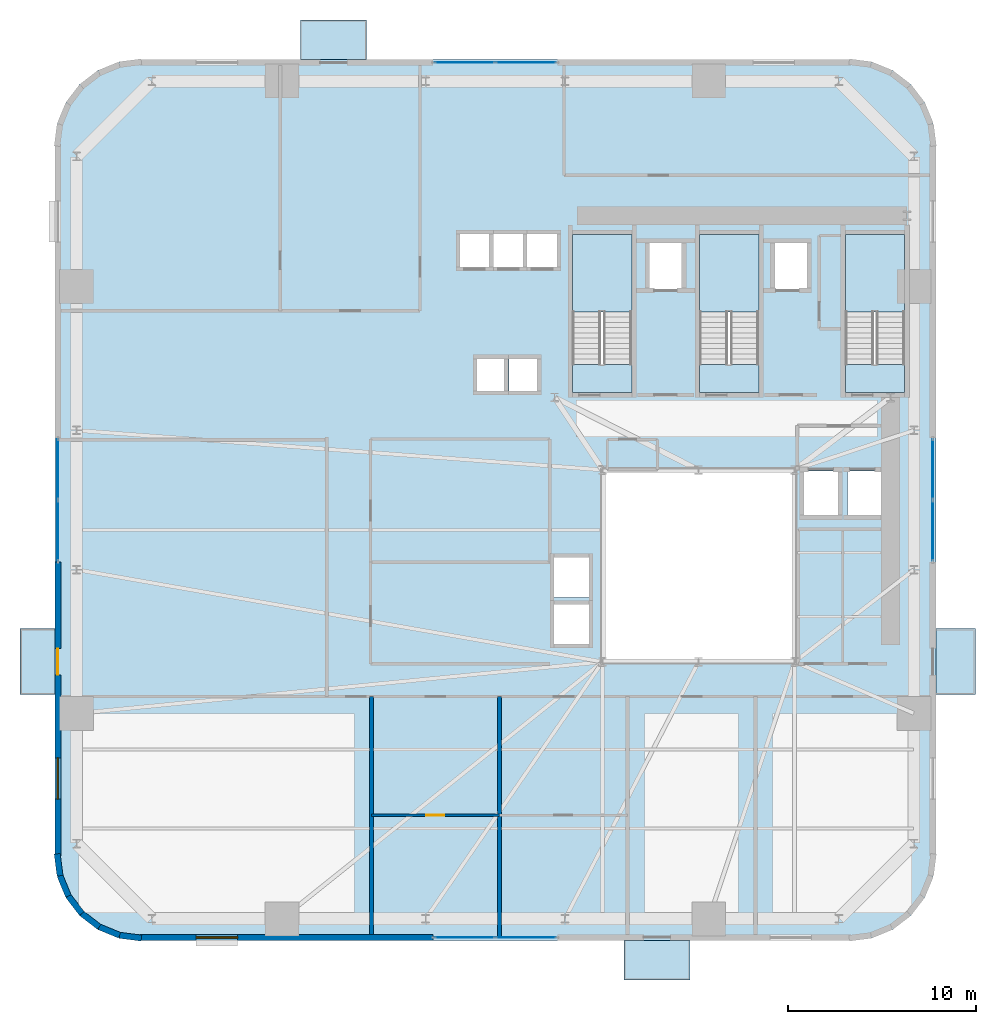
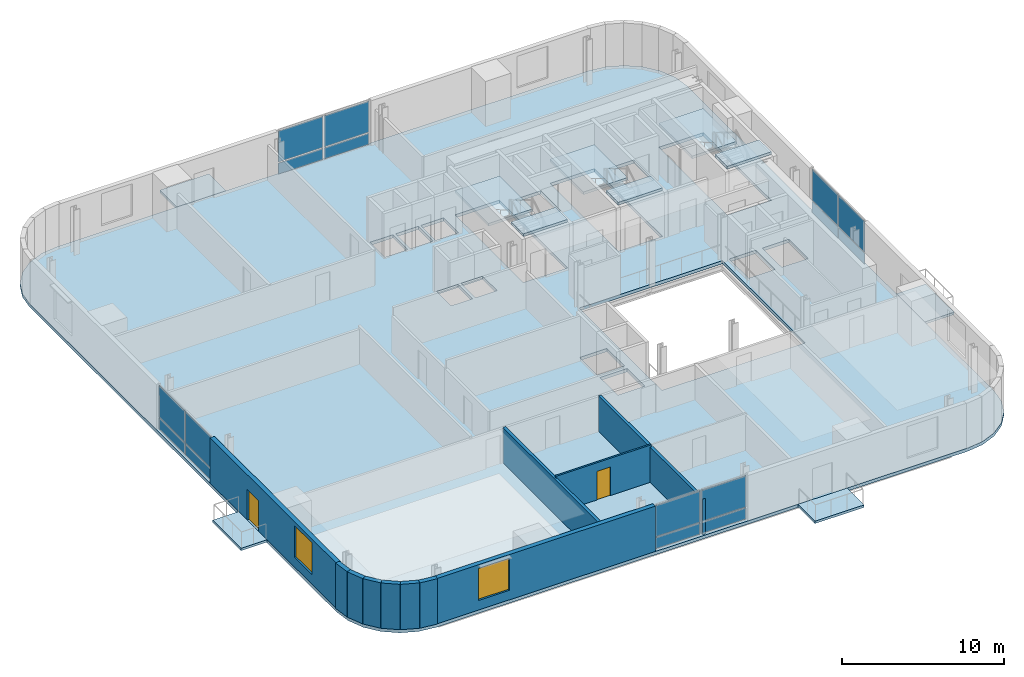
# One storey, part 5 of 13: 16 plates, 11 slabs, 11 walls, 2 doors, 2 windows, 4 openings, 7 elements without a shape of their own.
"""IFC4 building model written with IfcOpenShell, lengths in metres."""

from ifc_helpers import new_model, si_unit, direction, frame, frame_2d, origin, origin_2d, place, context, subcontext, project, spatial, polyline, rectangle, outline, extrude, source, transform, mapped, material, layer, layer_set, type_object, element, fill, aggregate, save


model = new_model("IFC4")

# Units and contexts
model_context = context("Model", 3, precision=1e-05, world=origin(), true_north=direction((0.0, 1.0)))
body_context = subcontext(model_context, "Body", "Model", "MODEL_VIEW")
ifc_project = project(units=[si_unit("LENGTHUNIT", "METRE"), si_unit("AREAUNIT", "SQUARE_METRE"), si_unit("VOLUMEUNIT", "CUBIC_METRE"), si_unit("PLANEANGLEUNIT", "RADIAN"), si_unit("MASSUNIT", "GRAM", prefix="KILO")], contexts=[model_context])

# Site, building, storey
site_placement = place(None, origin())
site = spatial("IfcSite", under=ifc_project, at=site_placement, CompositionType="ELEMENT")
building_placement = place(site_placement, origin())
building = spatial("IfcBuilding", under=site, at=building_placement, Name="Vardaveli Station Tower", CompositionType="ELEMENT")
storey_placement = place(building_placement, frame((0.0, 0.0, 75.050048828125)))
storey = spatial("IfcBuildingStorey", under=building, at=storey_placement, Name="L19", CompositionType="ELEMENT", Elevation=75.050048828125)

# Stair, slabs
ifc_material_1 = material(Name="Concrete C40/50", Category="concrete")
stair_type = type_object("IfcStairType", Name="STR-CORE-1500", PredefinedType="HALF_TURN_STAIR", material=ifc_material_1)
stair_1_placement = place(storey_placement, origin())
stair_1 = element("IfcStair", 1, at=stair_1_placement, inside=storey, type_object=stair_type, Name="L19 ST-1", PredefinedType="HALF_TURN_STAIR")
ifc_layer_1 = layer(ifc_material_1, 0.199951171875, Name="Concrete C40/50")
ifc_layer_set_1 = layer_set([ifc_layer_1], Name="Concrete C40/50")
slab_type_1 = type_object("IfcSlabType", Name="SLB-LAND-200", PredefinedType="LANDING", material=ifc_layer_set_1)
slab_1_placement = place(storey_placement, frame((0.0, 0.0, 1.625)))
slab_1 = element("IfcSlab", 2, at=slab_1_placement, type_object=slab_type_1, Name="ST-1 landing 1", PredefinedType="LANDING", context=body_context, shape_type="SweptSolid", body=[
    extrude(outline(polyline([(32.75, 35.199951171875), (32.75, 39.300048828125), (29.60009765625, 39.300048828125), (29.60009765625, 35.199951171875), (32.75, 35.199951171875)])), origin(), (0.0, 0.0, 1.0), 0.199951171875),
])
slab_2_placement = place(storey_placement, frame((0.0, 0.0, 3.449951171875)))
slab_2 = element("IfcSlab", 3, at=slab_2_placement, type_object=slab_type_1, Name="ST-1 landing 2", PredefinedType="LANDING", context=body_context, shape_type="SweptSolid", body=[
    extrude(outline(polyline([(32.75, 30.89990234375), (32.75, 32.39990234375), (29.60009765625, 32.39990234375), (29.60009765625, 30.89990234375), (32.75, 30.89990234375)])), origin(), (0.0, 0.0, 1.0), 0.199951171875),
])
aggregate(stair_1, [slab_1, slab_2])

stair_2_placement = place(storey_placement, origin())
stair_2 = element("IfcStair", 4, at=stair_2_placement, inside=storey, type_object=stair_type, Name="L19 ST-2", PredefinedType="HALF_TURN_STAIR")
slab_3_placement = place(storey_placement, frame((0.0, 0.0, 1.625)))
slab_3 = element("IfcSlab", 5, at=slab_3_placement, type_object=slab_type_1, Name="ST-2 landing 1", PredefinedType="LANDING", context=body_context, shape_type="SweptSolid", body=[
    extrude(outline(polyline([(39.5, 35.199951171875), (39.5, 39.300048828125), (36.35009765625, 39.300048828125), (36.35009765625, 35.199951171875), (39.5, 35.199951171875)])), origin(), (0.0, 0.0, 1.0), 0.199951171875),
])
slab_4_placement = place(storey_placement, frame((0.0, 0.0, 3.449951171875)))
slab_4 = element("IfcSlab", 6, at=slab_4_placement, type_object=slab_type_1, Name="ST-2 landing 2", PredefinedType="LANDING", context=body_context, shape_type="SweptSolid", body=[
    extrude(outline(polyline([(39.5, 30.89990234375), (39.5, 32.39990234375), (36.35009765625, 32.39990234375), (36.35009765625, 30.89990234375), (39.5, 30.89990234375)])), origin(), (0.0, 0.0, 1.0), 0.199951171875),
])
aggregate(stair_2, [slab_3, slab_4])

stair_3_placement = place(storey_placement, origin())
stair_3 = element("IfcStair", 7, at=stair_3_placement, inside=storey, type_object=stair_type, Name="L19 ST-3", PredefinedType="HALF_TURN_STAIR")
slab_5_placement = place(storey_placement, frame((0.0, 0.0, 1.625)))
slab_5 = element("IfcSlab", 8, at=slab_5_placement, type_object=slab_type_1, Name="ST-3 landing 1", PredefinedType="LANDING", context=body_context, shape_type="SweptSolid", body=[
    extrude(outline(polyline([(47.25, 35.199951171875), (47.25, 39.300048828125), (44.10009765625, 39.300048828125), (44.10009765625, 35.199951171875), (47.25, 35.199951171875)])), origin(), (0.0, 0.0, 1.0), 0.199951171875),
])
slab_6_placement = place(storey_placement, frame((0.0, 0.0, 3.449951171875)))
slab_6 = element("IfcSlab", 9, at=slab_6_placement, type_object=slab_type_1, Name="ST-3 landing 2", PredefinedType="LANDING", context=body_context, shape_type="SweptSolid", body=[
    extrude(outline(polyline([(47.25, 30.89990234375), (47.25, 32.39990234375), (44.10009765625, 32.39990234375), (44.10009765625, 30.89990234375), (47.25, 30.89990234375)])), origin(), (0.0, 0.0, 1.0), 0.199951171875),
])
aggregate(stair_3, [slab_5, slab_6])

# Slabs
ifc_material_2 = material(Name="Precast concrete C45/55", Category="concrete")
ifc_layer_2 = layer(ifc_material_2, 0.179931640625, Name="Precast concrete C45/55")
ifc_layer_set_2 = layer_set([ifc_layer_2], Name="Precast concrete C45/55")
slab_type_2 = type_object("IfcSlabType", Name="SLB-LOGGIA-180", PredefinedType="FLOOR", material=ifc_layer_set_2)
slab_7_placement = place(storey_placement, frame((0.0, 0.0, -0.179931640625)))
element("IfcSlab", 10, at=slab_7_placement, inside=storey, type_object=slab_type_2, Name="LOG-L19-S", PredefinedType="FLOOR", context=body_context, shape_type="SweptSolid", body=[
    extrude(outline(polyline([(32.339599609375, -0.300048828125), (35.839599609375, -0.300048828125), (35.839599609375, 1.800048828125), (32.339599609375, 1.800048828125), (32.339599609375, -0.300048828125)])), origin(), (0.0, 0.0, 1.0), 0.179931640625),
])
slab_8_placement = place(storey_placement, frame((0.0, 0.0, -0.179931640625)))
element("IfcSlab", 11, at=slab_8_placement, inside=storey, type_object=slab_type_2, Name="LOG-L19-N", PredefinedType="FLOOR", context=body_context, shape_type="SweptSolid", body=[
    extrude(outline(polyline([(15.160400390625, 48.60009765625), (18.660400390625, 48.60009765625), (18.660400390625, 50.699951171875), (15.160400390625, 50.699951171875), (15.160400390625, 48.60009765625)])), origin(), (0.0, 0.0, 1.0), 0.179931640625),
])
slab_9_placement = place(storey_placement, frame((0.0, 0.0, -0.179931640625)))
element("IfcSlab", 12, at=slab_9_placement, inside=storey, type_object=slab_type_2, Name="LOG-L19-W", PredefinedType="FLOOR", context=body_context, shape_type="SweptSolid", body=[
    extrude(outline(polyline([(0.25, 14.8603515625), (2.10009765625, 14.8603515625), (2.10009765625, 18.3603515625), (0.25, 18.3603515625), (0.25, 14.8603515625)])), origin(), (0.0, 0.0, 1.0), 0.179931640625),
])
slab_10_placement = place(storey_placement, frame((0.0, 0.0, -0.179931640625)))
element("IfcSlab", 13, at=slab_10_placement, inside=storey, type_object=slab_type_2, Name="LOG-L19-E", PredefinedType="FLOOR", context=body_context, shape_type="SweptSolid", body=[
    extrude(outline(polyline([(48.89990234375, 14.8603515625), (51.0, 14.8603515625), (51.0, 18.3603515625), (48.89990234375, 18.3603515625), (48.89990234375, 14.8603515625)])), origin(), (0.0, 0.0, 1.0), 0.179931640625),
])
ifc_layer_3 = layer(ifc_material_1, 0.239990234375, Name="Concrete C40/50")
ifc_layer_set_3 = layer_set([ifc_layer_3], Name="Concrete C40/50")
slab_type_3 = type_object("IfcSlabType", Name="SLB-TOW-240", PredefinedType="FLOOR", material=ifc_layer_set_3)
slab_11_placement = place(storey_placement, frame((0.0, 0.0, -0.239990234375)))
element("IfcSlab", 14, at=slab_11_placement, inside=storey, type_object=slab_type_3, Name="SLB-L19-MAIN", PredefinedType="FLOOR", context=body_context, shape_type="SweptSolid", body=[
    extrude(outline(polyline([(2.10009765625, 6.300048828125), (2.25341796875, 5.13525390625), (2.702880859375, 4.050048828125), (3.41796875, 3.117919921875), (4.35009765625, 2.40283203125), (5.435302734375, 1.953369140625), (6.60009765625, 1.800048828125), (44.39990234375, 1.800048828125), (45.564697265625, 1.953369140625), (46.64990234375, 2.40283203125), (47.58203125, 3.117919921875), (48.297119140625, 4.050048828125), (48.74658203125, 5.13525390625), (48.89990234375, 6.300048828125), (48.89990234375, 44.10009765625), (48.74658203125, 45.2646484375), (48.297119140625, 46.35009765625), (47.58203125, 47.281982421875), (46.64990234375, 47.9970703125), (45.564697265625, 48.44677734375), (44.39990234375, 48.60009765625), (6.60009765625, 48.60009765625), (5.435302734375, 48.44677734375), (4.35009765625, 47.9970703125), (3.41796875, 47.281982421875), (2.702880859375, 46.35009765625), (2.25341796875, 45.2646484375), (2.10009765625, 44.10009765625), (2.10009765625, 6.300048828125)]), holes=[polyline([(31.199951171875, 16.60009765625), (41.39990234375, 16.60009765625), (41.39990234375, 26.800048828125), (31.199951171875, 26.800048828125), (31.199951171875, 16.60009765625)]), polyline([(32.75, 30.89990234375), (32.75, 39.300048828125), (29.60009765625, 39.300048828125), (29.60009765625, 30.89990234375), (32.75, 30.89990234375)]), polyline([(39.5, 30.89990234375), (39.5, 39.300048828125), (36.35009765625, 39.300048828125), (36.35009765625, 30.89990234375), (39.5, 30.89990234375)]), polyline([(47.25, 30.89990234375), (47.25, 39.300048828125), (44.10009765625, 39.300048828125), (44.10009765625, 30.89990234375), (47.25, 30.89990234375)]), polyline([(23.5849609375, 37.534912109375), (25.215087890625, 37.534912109375), (25.215087890625, 39.364990234375), (23.5849609375, 39.364990234375), (23.5849609375, 37.534912109375)]), polyline([(25.385009765625, 37.534912109375), (27.014892578125, 37.534912109375), (27.014892578125, 39.364990234375), (25.385009765625, 39.364990234375), (25.385009765625, 37.534912109375)]), polyline([(27.18505859375, 37.534912109375), (28.81494140625, 37.534912109375), (28.81494140625, 39.364990234375), (27.18505859375, 39.364990234375), (27.18505859375, 37.534912109375)]), polyline([(33.659912109375, 36.409912109375), (35.43994140625, 36.409912109375), (35.43994140625, 38.889892578125), (33.659912109375, 38.889892578125), (33.659912109375, 36.409912109375)]), polyline([(40.31005859375, 36.409912109375), (42.090087890625, 36.409912109375), (42.090087890625, 38.889892578125), (40.31005859375, 38.889892578125), (40.31005859375, 36.409912109375)]), polyline([(24.485107421875, 30.9599609375), (26.014892578125, 30.9599609375), (26.014892578125, 32.739990234375), (24.485107421875, 32.739990234375), (24.485107421875, 30.9599609375)]), polyline([(26.235107421875, 30.9599609375), (27.764892578125, 30.9599609375), (27.764892578125, 32.739990234375), (26.235107421875, 32.739990234375), (26.235107421875, 30.9599609375)]), polyline([(28.5849609375, 17.510009765625), (30.514892578125, 17.510009765625), (30.514892578125, 19.68994140625), (28.5849609375, 19.68994140625), (28.5849609375, 17.510009765625)]), polyline([(28.5849609375, 20.010009765625), (30.514892578125, 20.010009765625), (30.514892578125, 22.18994140625), (28.5849609375, 22.18994140625), (28.5849609375, 20.010009765625)]), polyline([(41.860107421875, 24.360107421875), (43.739990234375, 24.360107421875), (43.739990234375, 26.739990234375), (41.860107421875, 26.739990234375), (41.860107421875, 24.360107421875)]), polyline([(44.2099609375, 24.360107421875), (46.090087890625, 24.360107421875), (46.090087890625, 26.739990234375), (44.2099609375, 26.739990234375), (44.2099609375, 24.360107421875)])]), origin(), (0.0, 0.0, 1.0), 0.239990234375),
])

# Curtain wall, plates
ifc_material_3 = material(Name="Travertine stone and solar-control glass", Category="masonry")
curtain_wall_type = type_object("IfcCurtainWallType", Name="CW-SYS-2", PredefinedType="NOTDEFINED", material=ifc_material_3)
curtain_wall_1_placement = place(storey_placement, origin())
curtain_wall_1 = element("IfcCurtainWall", 15, at=curtain_wall_1_placement, inside=storey, type_object=curtain_wall_type, Name="CW-L19-S", PredefinedType="NOTDEFINED")
ifc_material_4 = material(Name="Double-glazed low-E solar-control glass", Category="glass")
ifc_layer_4 = layer(ifc_material_4, 0.035888671875, Name="Double-glazed low-E solar-control glass")
ifc_layer_set_4 = layer_set([ifc_layer_4], Name="Double-glazed low-E solar-control glass")
plate_type = type_object("IfcPlateType", Name="CW-SYS-2-PAN", PredefinedType="CURTAIN_PANEL", material=ifc_layer_set_4)
shared_shape_1 = source(origin(), body_context, "Body", "SweptSolid", [
    extrude(rectangle(XDim=3.172607421875, YDim=0.035888671875, at=origin_2d()), origin(), (0.0, 0.0, 1.0), 0.822509765625),
])
plate_1_placement = place(storey_placement, frame((23.871337890625, 1.9599609375, 0.0849609375), z_axis=(0.0, 0.0, 1.0), x_axis=(1.0, 0.0, 0.0)))
plate_1 = element("IfcPlate", 16, at=plate_1_placement, type_object=plate_type, Name="CW-2 panel 1.1", PredefinedType="CURTAIN_PANEL", context=body_context, shape_type="MappedRepresentation", body=[
    mapped(shared_shape_1, transform((0.0, 0.0, 0.0), scale=1.0)),
])
plate_2_placement = place(storey_placement, frame((27.128662109375, 1.9599609375, 0.0849609375), z_axis=(0.0, 0.0, 1.0), x_axis=(1.0, 0.0, 0.0)))
plate_2 = element("IfcPlate", 17, at=plate_2_placement, type_object=plate_type, Name="CW-2 panel 2.1", PredefinedType="CURTAIN_PANEL", context=body_context, shape_type="MappedRepresentation", body=[
    mapped(shared_shape_1, transform((0.0, 0.0, 0.0), scale=1.0)),
])

curtain_wall_2_placement = place(storey_placement, origin())
curtain_wall_2 = element("IfcCurtainWall", 18, at=curtain_wall_2_placement, inside=storey, type_object=curtain_wall_type, Name="CW-L19-N", PredefinedType="NOTDEFINED")
plate_3_placement = place(storey_placement, frame((27.128662109375, 48.43994140625, 0.0849609375), z_axis=(0.0, 0.0, 1.0), x_axis=(-1.0, 0.0, 0.0)))
plate_3 = element("IfcPlate", 19, at=plate_3_placement, type_object=plate_type, Name="CW-2 panel 1.1", PredefinedType="CURTAIN_PANEL", context=body_context, shape_type="MappedRepresentation", body=[
    mapped(shared_shape_1, transform((0.0, 0.0, 0.0), scale=1.0)),
])
plate_4_placement = place(storey_placement, frame((23.871337890625, 48.43994140625, 0.0849609375), z_axis=(0.0, 0.0, 1.0), x_axis=(-1.0, 0.0, 0.0)))
plate_4 = element("IfcPlate", 20, at=plate_4_placement, type_object=plate_type, Name="CW-2 panel 2.1", PredefinedType="CURTAIN_PANEL", context=body_context, shape_type="MappedRepresentation", body=[
    mapped(shared_shape_1, transform((0.0, 0.0, 0.0), scale=1.0)),
])

curtain_wall_3_placement = place(storey_placement, origin())
curtain_wall_3 = element("IfcCurtainWall", 21, at=curtain_wall_3_placement, inside=storey, type_object=curtain_wall_type, Name="CW-L19-W", PredefinedType="NOTDEFINED")
plate_5_placement = place(storey_placement, frame((2.260009765625, 26.828857421875, 0.0849609375), z_axis=(0.0, 0.0, 1.0), x_axis=(0.0, -1.0, 0.0)))
plate_5 = element("IfcPlate", 22, at=plate_5_placement, type_object=plate_type, Name="CW-2 panel 1.1", PredefinedType="CURTAIN_PANEL", context=body_context, shape_type="MappedRepresentation", body=[
    mapped(shared_shape_1, transform((0.0, 0.0, 0.0), scale=1.0)),
])
plate_6_placement = place(storey_placement, frame((2.260009765625, 23.5712890625, 0.0849609375), z_axis=(0.0, 0.0, 1.0), x_axis=(0.0, -1.0, 0.0)))
plate_6 = element("IfcPlate", 23, at=plate_6_placement, type_object=plate_type, Name="CW-2 panel 2.1", PredefinedType="CURTAIN_PANEL", context=body_context, shape_type="MappedRepresentation", body=[
    mapped(shared_shape_1, transform((0.0, 0.0, 0.0), scale=1.0)),
])

curtain_wall_4_placement = place(storey_placement, origin())
curtain_wall_4 = element("IfcCurtainWall", 24, at=curtain_wall_4_placement, inside=storey, type_object=curtain_wall_type, Name="CW-L19-E", PredefinedType="NOTDEFINED")
plate_7_placement = place(storey_placement, frame((48.739990234375, 23.5712890625, 0.0849609375), z_axis=(0.0, 0.0, 1.0), x_axis=(0.0, 1.0, 0.0)))
plate_7 = element("IfcPlate", 25, at=plate_7_placement, type_object=plate_type, Name="CW-2 panel 1.1", PredefinedType="CURTAIN_PANEL", context=body_context, shape_type="MappedRepresentation", body=[
    mapped(shared_shape_1, transform((0.0, 0.0, 0.0), scale=1.0)),
])
plate_8_placement = place(storey_placement, frame((48.739990234375, 26.828857421875, 0.0849609375), z_axis=(0.0, 0.0, 1.0), x_axis=(0.0, 1.0, 0.0)))
plate_8 = element("IfcPlate", 26, at=plate_8_placement, type_object=plate_type, Name="CW-2 panel 2.1", PredefinedType="CURTAIN_PANEL", context=body_context, shape_type="MappedRepresentation", body=[
    mapped(shared_shape_1, transform((0.0, 0.0, 0.0), scale=1.0)),
])

# Plate
shared_shape_2 = source(origin(), body_context, "Body", "SweptSolid", [
    extrude(rectangle(XDim=3.172607421875, YDim=0.035888671875, at=origin_2d()), origin(), (0.0, 0.0, 1.0), 2.33251953125),
])
plate_9_placement = place(storey_placement, frame((23.871337890625, 1.9599609375, 0.992431640625), z_axis=(0.0, 0.0, 1.0), x_axis=(1.0, 0.0, 0.0)))
plate_9 = element("IfcPlate", 27, at=plate_9_placement, type_object=plate_type, Name="CW-2 panel 1.2", PredefinedType="CURTAIN_PANEL", context=body_context, shape_type="MappedRepresentation", body=[
    mapped(shared_shape_2, transform((0.0, 0.0, 0.0), scale=1.0)),
])

plate_10_placement = place(storey_placement, frame((27.128662109375, 1.9599609375, 0.992431640625), z_axis=(0.0, 0.0, 1.0), x_axis=(1.0, 0.0, 0.0)))
plate_10 = element("IfcPlate", 28, at=plate_10_placement, type_object=plate_type, Name="CW-2 panel 2.2", PredefinedType="CURTAIN_PANEL", context=body_context, shape_type="MappedRepresentation", body=[
    mapped(shared_shape_2, transform((0.0, 0.0, 0.0), scale=1.0)),
])

aggregate(curtain_wall_1, [plate_1, plate_9, plate_2, plate_10])

plate_11_placement = place(storey_placement, frame((27.128662109375, 48.43994140625, 0.992431640625), z_axis=(0.0, 0.0, 1.0), x_axis=(-1.0, 0.0, 0.0)))
plate_11 = element("IfcPlate", 29, at=plate_11_placement, type_object=plate_type, Name="CW-2 panel 1.2", PredefinedType="CURTAIN_PANEL", context=body_context, shape_type="MappedRepresentation", body=[
    mapped(shared_shape_2, transform((0.0, 0.0, 0.0), scale=1.0)),
])

plate_12_placement = place(storey_placement, frame((23.871337890625, 48.43994140625, 0.992431640625), z_axis=(0.0, 0.0, 1.0), x_axis=(-1.0, 0.0, 0.0)))
plate_12 = element("IfcPlate", 30, at=plate_12_placement, type_object=plate_type, Name="CW-2 panel 2.2", PredefinedType="CURTAIN_PANEL", context=body_context, shape_type="MappedRepresentation", body=[
    mapped(shared_shape_2, transform((0.0, 0.0, 0.0), scale=1.0)),
])

aggregate(curtain_wall_2, [plate_3, plate_11, plate_4, plate_12])

plate_13_placement = place(storey_placement, frame((2.260009765625, 26.828857421875, 0.992431640625), z_axis=(0.0, 0.0, 1.0), x_axis=(0.0, -1.0, 0.0)))
plate_13 = element("IfcPlate", 31, at=plate_13_placement, type_object=plate_type, Name="CW-2 panel 1.2", PredefinedType="CURTAIN_PANEL", context=body_context, shape_type="MappedRepresentation", body=[
    mapped(shared_shape_2, transform((0.0, 0.0, 0.0), scale=1.0)),
])

plate_14_placement = place(storey_placement, frame((2.260009765625, 23.5712890625, 0.992431640625), z_axis=(0.0, 0.0, 1.0), x_axis=(0.0, -1.0, 0.0)))
plate_14 = element("IfcPlate", 32, at=plate_14_placement, type_object=plate_type, Name="CW-2 panel 2.2", PredefinedType="CURTAIN_PANEL", context=body_context, shape_type="MappedRepresentation", body=[
    mapped(shared_shape_2, transform((0.0, 0.0, 0.0), scale=1.0)),
])

aggregate(curtain_wall_3, [plate_5, plate_13, plate_6, plate_14])

plate_15_placement = place(storey_placement, frame((48.739990234375, 23.5712890625, 0.992431640625), z_axis=(0.0, 0.0, 1.0), x_axis=(0.0, 1.0, 0.0)))
plate_15 = element("IfcPlate", 33, at=plate_15_placement, type_object=plate_type, Name="CW-2 panel 1.2", PredefinedType="CURTAIN_PANEL", context=body_context, shape_type="MappedRepresentation", body=[
    mapped(shared_shape_2, transform((0.0, 0.0, 0.0), scale=1.0)),
])

plate_16_placement = place(storey_placement, frame((48.739990234375, 26.828857421875, 0.992431640625), z_axis=(0.0, 0.0, 1.0), x_axis=(0.0, 1.0, 0.0)))
plate_16 = element("IfcPlate", 34, at=plate_16_placement, type_object=plate_type, Name="CW-2 panel 2.2", PredefinedType="CURTAIN_PANEL", context=body_context, shape_type="MappedRepresentation", body=[
    mapped(shared_shape_2, transform((0.0, 0.0, 0.0), scale=1.0)),
])

aggregate(curtain_wall_4, [plate_7, plate_15, plate_8, plate_16])

# Wall, opening, window
ifc_layer_5 = layer(ifc_material_2, 0.320068359375, Name="Precast concrete C45/55")
ifc_layer_set_5 = layer_set([ifc_layer_5], Name="Precast concrete C45/55")
wall_type_1 = type_object("IfcWallType", Name="WAL-EXT-STONE-320", PredefinedType="SOLIDWALL", material=ifc_layer_set_5)
shared_shape_3 = source(origin(), body_context, "Body", "SweptSolid", [
    extrude(rectangle(XDim=15.599853515625, YDim=0.320068359375, at=frame_2d((7.7998046875, 0.0))), origin(), (0.0, 0.0, 1.0), 3.409912109375),
])
wall_1_placement = place(storey_placement, frame((6.60009765625, 1.9599609375, 0.0), z_axis=(0.0, 0.0, 1.0), x_axis=(1.0, 0.0, 0.0)))
wall_1 = element("IfcWall", 35, at=wall_1_placement, inside=storey, type_object=wall_type_1, Name="EW-L19-S1", PredefinedType="SOLIDWALL", context=body_context, shape_type="MappedRepresentation", body=[
    mapped(shared_shape_3, transform((0.0, 0.0, 0.0), scale=1.0)),
])
shared_shape_4 = source(origin(), body_context, "Body", "SweptSolid", [
    extrude(rectangle(XDim=2.199951171875, YDim=2.39990234375, at=frame_2d((1.10009765625, 1.199951171875))), frame((0.0, 0.169921875, 0.0), z_axis=(0.0, -1.0, 0.0), x_axis=(1.0, 0.0, 0.0)), (0.0, 0.0, 1.0), 0.340087890625),
])
opening_1_placement = place(wall_1_placement, frame((3.0048828125, 0.0, 0.719970703125)))
opening_1 = element("IfcOpeningElement", 36, at=opening_1_placement, cuts=wall_1, Name="Opening W-03", PredefinedType="OPENING", context=body_context, shape_type="MappedRepresentation", body=[
    mapped(shared_shape_4, transform((0.0, 0.0, 0.0), scale=1.0)),
])
ifc_material_5 = material(Name="Low-E solar-control glass", Category="glass")
window_type = type_object("IfcWindowType", Name="WIN-LOG-2200x2400", PartitioningType="SINGLE_PANEL", PredefinedType="WINDOW", material=ifc_material_5)
shared_shape_5 = source(origin(), body_context, "Body", "SweptSolid", [
    extrude(rectangle(XDim=2.199951171875, YDim=2.39990234375, at=frame_2d((1.10009765625, 1.199951171875))), frame((0.0, 0.030029296875, 0.0), z_axis=(0.0, -1.0, 0.0), x_axis=(1.0, 0.0, 0.0)), (0.0, 0.0, 1.0), 0.06005859375),
])
window_1_placement = place(opening_1_placement, origin())
window_1 = element("IfcWindow", 37, at=window_1_placement, inside=storey, type_object=window_type, Name="WN-L19-S1", OverallHeight=2.39990234375, OverallWidth=2.199951171875, PartitioningType="SINGLE_PANEL", PredefinedType="WINDOW", context=body_context, shape_type="MappedRepresentation", body=[
    mapped(shared_shape_5, transform((0.0, 0.0, 0.0), scale=1.0)),
])
fill(opening_1, window_1)

# Wall, openings, door, window
wall_2_placement = place(storey_placement, frame((2.260009765625, 21.89990234375, 0.0), z_axis=(0.0, 0.0, 1.0), x_axis=(0.0, -1.0, 0.0)))
wall_2 = element("IfcWall", 38, at=wall_2_placement, inside=storey, type_object=wall_type_1, Name="EW-L19-W2", PredefinedType="SOLIDWALL", context=body_context, shape_type="MappedRepresentation", body=[
    mapped(shared_shape_3, transform((0.0, 0.0, 0.0), scale=1.0)),
])
shared_shape_6 = source(origin(), body_context, "Body", "SweptSolid", [
    extrude(rectangle(XDim=1.39990234375, YDim=2.300048828125, at=frame_2d((0.699951171875, 1.14990234375))), frame((0.0, 0.169921875, 0.0), z_axis=(0.0, -1.0, 0.0), x_axis=(1.0, 0.0, 0.0)), (0.0, 0.0, 1.0), 0.340087890625),
])
opening_2_placement = place(wall_2_placement, frame((4.589599609375, 0.0, 0.0)))
opening_2 = element("IfcOpeningElement", 39, at=opening_2_placement, cuts=wall_2, Name="Opening D-09", PredefinedType="OPENING", context=body_context, shape_type="MappedRepresentation", body=[
    mapped(shared_shape_6, transform((0.0, 0.0, 0.0), scale=1.0)),
])
opening_3_placement = place(wall_2_placement, frame((10.39501953125, 0.0, 0.719970703125)))
opening_3 = element("IfcOpeningElement", 40, at=opening_3_placement, cuts=wall_2, Name="Opening W-03", PredefinedType="OPENING", context=body_context, shape_type="MappedRepresentation", body=[
    mapped(shared_shape_4, transform((0.0, 0.0, 0.0), scale=1.0)),
])
ifc_material_6 = material(Name="Thermally broken aluminium glass", Category="aluminium")
door_type_1 = type_object("IfcDoorType", Name="DR-LOG-1400x2300", OperationType="DOUBLE_DOOR_SLIDING", PredefinedType="DOOR", material=ifc_material_6)
shared_shape_7 = source(origin(), body_context, "Body", "SweptSolid", [
    extrude(rectangle(XDim=1.39990234375, YDim=2.300048828125, at=frame_2d((0.699951171875, 1.14990234375))), frame((0.0, 0.02490234375, 0.0), z_axis=(0.0, -1.0, 0.0), x_axis=(1.0, 0.0, 0.0)), (0.0, 0.0, 1.0), 0.050048828125),
])
door_1_placement = place(opening_2_placement, frame((1.39990234375, 0.0, 0.0), z_axis=(0.0, 0.0, 1.0), x_axis=(-1.0, 0.0, 0.0)))
door_1 = element("IfcDoor", 41, at=door_1_placement, inside=storey, type_object=door_type_1, Name="DLG-L19-W", OperationType="DOUBLE_DOOR_SLIDING", OverallHeight=2.300048828125, OverallWidth=1.39990234375, PredefinedType="DOOR", context=body_context, shape_type="MappedRepresentation", body=[
    mapped(shared_shape_7, transform((0.0, 0.0, 0.0), scale=1.0)),
])
fill(opening_2, door_1)
window_2_placement = place(opening_3_placement, origin())
window_2 = element("IfcWindow", 42, at=window_2_placement, inside=storey, type_object=window_type, Name="WN-L19-W2", OverallHeight=2.39990234375, OverallWidth=2.199951171875, PartitioningType="SINGLE_PANEL", PredefinedType="WINDOW", context=body_context, shape_type="MappedRepresentation", body=[
    mapped(shared_shape_5, transform((0.0, 0.0, 0.0), scale=1.0)),
])
fill(opening_3, window_2)

# Walls
shared_shape_8 = source(origin(), body_context, "Body", "SweptSolid", [
    extrude(rectangle(XDim=1.170654296875, YDim=0.320068359375, at=frame_2d((0.58544921875, 0.0))), origin(), (0.0, 0.0, 1.0), 3.409912109375),
])
wall_3_placement = place(storey_placement, frame((2.224365234375, 6.400634765625, 0.0), z_axis=(0.0, 0.0, 1.0), x_axis=(0.128269133229, -0.991739395941, 0.0)))
element("IfcWall", 43, at=wall_3_placement, inside=storey, type_object=wall_type_1, Name="EW-L19-CR1-1", PredefinedType="SOLIDWALL", context=body_context, shape_type="MappedRepresentation", body=[
    mapped(shared_shape_8, transform((0.0, 0.0, 0.0), scale=1.0)),
])
shared_shape_9 = source(origin(), body_context, "Body", "SweptSolid", [
    extrude(rectangle(XDim=1.1689453125, YDim=0.320068359375, at=frame_2d((0.58447265625, 0.0))), origin(), (0.0, 0.0, 1.0), 3.409912109375),
])
for number, where, z_axis, x_axis, name in (
    (44, (2.37451171875, 5.23974609375, 0.0), (0.0, 0.0, 1.0), (0.381127904695, -0.924522320046, 0.0), "EW-L19-CR1-2"),
    (45, (2.820068359375, 4.158935546875, 0.0), (0.0, 0.0, 1.0), (0.608387696831, -0.793639975269, 0.0), "EW-L19-CR1-3"),
):
    element("IfcWall", number, at=place(storey_placement, frame(where, z_axis=z_axis, x_axis=x_axis)), inside=storey, type_object=wall_type_1, Name=name, PredefinedType="SOLIDWALL", context=body_context, shape_type="MappedRepresentation", body=[
        mapped(shared_shape_9, transform((0.0, 0.0, 0.0), scale=1.0)),
    ])
shared_shape_10 = source(origin(), body_context, "Body", "SweptSolid", [
    extrude(rectangle(XDim=1.168701171875, YDim=0.320068359375, at=frame_2d((0.58447265625, 0.0))), origin(), (0.0, 0.0, 1.0), 3.409912109375),
])
wall_4_placement = place(storey_placement, frame((3.53125, 3.231201171875, 0.0), z_axis=(0.0, 0.0, 1.0), x_axis=(0.793663520347, -0.608356981114, 0.0)))
element("IfcWall", 46, at=wall_4_placement, inside=storey, type_object=wall_type_1, Name="EW-L19-CR1-4", PredefinedType="SOLIDWALL", context=body_context, shape_type="MappedRepresentation", body=[
    mapped(shared_shape_10, transform((0.0, 0.0, 0.0), scale=1.0)),
])
shared_shape_11 = source(origin(), body_context, "Body", "SweptSolid", [
    extrude(rectangle(XDim=1.16943359375, YDim=0.320068359375, at=frame_2d((0.584716796875, 0.0))), origin(), (0.0, 0.0, 1.0), 3.409912109375),
])
wall_5_placement = place(storey_placement, frame((4.458740234375, 2.520263671875, 0.0), z_axis=(0.0, 0.0, 1.0), x_axis=(0.924479075121, -0.381232789334, 0.0)))
element("IfcWall", 47, at=wall_5_placement, inside=storey, type_object=wall_type_1, Name="EW-L19-CR1-5", PredefinedType="SOLIDWALL", context=body_context, shape_type="MappedRepresentation", body=[
    mapped(shared_shape_11, transform((0.0, 0.0, 0.0), scale=1.0)),
])
shared_shape_12 = source(origin(), body_context, "Body", "SweptSolid", [
    extrude(rectangle(XDim=1.170166015625, YDim=0.320068359375, at=frame_2d((0.5849609375, 0.0))), origin(), (0.0, 0.0, 1.0), 3.409912109375),
])
wall_6_placement = place(storey_placement, frame((5.539794921875, 2.074462890625, 0.0), z_axis=(0.0, 0.0, 1.0), x_axis=(0.991762485493, -0.128090485085, 0.0)))
element("IfcWall", 48, at=wall_6_placement, inside=storey, type_object=wall_type_1, Name="EW-L19-CR1-6", PredefinedType="SOLIDWALL", context=body_context, shape_type="MappedRepresentation", body=[
    mapped(shared_shape_12, transform((0.0, 0.0, 0.0), scale=1.0)),
])
ifc_material_7 = material(Name="Acoustic twin-stud gypsum partition")
ifc_layer_6 = layer(ifc_material_7, 0.199951171875, Name="Acoustic twin-stud gypsum partition")
ifc_layer_set_6 = layer_set([ifc_layer_6], Name="Acoustic twin-stud gypsum partition")
wall_type_2 = type_object("IfcWallType", Name="WAL-PARTY-200", PredefinedType="PARTITIONING", material=ifc_layer_set_6)
shared_shape_13 = source(origin(), body_context, "Body", "SweptSolid", [
    extrude(rectangle(XDim=12.637939453125, YDim=0.199951171875, at=frame_2d((6.31884765625, 0.0))), origin(), (0.0, 0.0, 1.0), 2.65185546875),
])
wall_7_placement = place(storey_placement, frame((18.919921875, 2.1220703125, 0.0), z_axis=(0.0, 0.0, 1.0), x_axis=(0.0, 1.0, 0.0)))
element("IfcWall", 49, at=wall_7_placement, inside=storey, type_object=wall_type_2, Name="W-L19-PS1", PredefinedType="PARTITIONING", context=body_context, shape_type="MappedRepresentation", body=[
    mapped(shared_shape_13, transform((0.0, 0.0, 0.0), scale=1.0)),
])
shared_shape_14 = source(origin(), body_context, "Body", "SweptSolid", [
    extrude(rectangle(XDim=12.830078125, YDim=0.199951171875, at=frame_2d((6.4150390625, 0.0))), origin(), (0.0, 0.0, 1.0), 2.65185546875),
])
wall_8_placement = place(storey_placement, frame((25.722900390625, 1.929931640625, 0.0), z_axis=(0.0, 0.0, 1.0), x_axis=(0.0, 1.0, 0.0)))
element("IfcWall", 50, at=wall_8_placement, inside=storey, type_object=wall_type_2, Name="W-L19-PS2", PredefinedType="PARTITIONING", context=body_context, shape_type="MappedRepresentation", body=[
    mapped(shared_shape_14, transform((0.0, 0.0, 0.0), scale=1.0)),
])

# Wall, opening, door
ifc_material_8 = material(Name="Gypsum board stud partition")
ifc_layer_7 = layer(ifc_material_8, 0.125, Name="Gypsum board stud partition")
ifc_layer_set_7 = layer_set([ifc_layer_7], Name="Gypsum board stud partition")
wall_type_3 = type_object("IfcWallType", Name="WAL-INT-125", PredefinedType="PARTITIONING", material=ifc_layer_set_7)
shared_shape_15 = source(origin(), body_context, "Body", "SweptSolid", [
    extrude(rectangle(XDim=6.802978515625, YDim=0.125, at=frame_2d((3.4013671875, 0.0))), origin(), (0.0, 0.0, 1.0), 2.802001953125),
])
wall_9_placement = place(storey_placement, frame((18.919921875, 8.455078125, 0.0), z_axis=(0.0, 0.0, 1.0), x_axis=(1.0, 0.0, 0.0)))
wall_9 = element("IfcWall", 51, at=wall_9_placement, inside=storey, type_object=wall_type_3, Name="W-L19-SCM2", PredefinedType="PARTITIONING", context=body_context, shape_type="MappedRepresentation", body=[
    mapped(shared_shape_15, transform((0.0, 0.0, 0.0), scale=1.0)),
])
shared_shape_16 = source(origin(), body_context, "Body", "SweptSolid", [
    extrude(rectangle(XDim=0.949951171875, YDim=2.14990234375, at=frame_2d((0.47509765625, 1.074951171875))), frame((0.0, 0.072509765625, 0.0), z_axis=(0.0, -1.0, 0.0), x_axis=(1.0, 0.0, 0.0)), (0.0, 0.0, 1.0), 0.14501953125),
])
opening_4_placement = place(wall_9_placement, frame((2.921630859375, 0.0, 0.0)))
opening_4 = element("IfcOpeningElement", 52, at=opening_4_placement, cuts=wall_9, Name="Opening D-11", PredefinedType="OPENING", context=body_context, shape_type="MappedRepresentation", body=[
    mapped(shared_shape_16, transform((0.0, 0.0, 0.0), scale=1.0)),
])
ifc_material_9 = material(Name="Oak veneer internal suite door")
door_type_2 = type_object("IfcDoorType", Name="DR-INT-950x2150", OperationType="NOTDEFINED", PredefinedType="DOOR", material=ifc_material_9)
shared_shape_17 = source(origin(), body_context, "Body", "SweptSolid", [
    extrude(rectangle(XDim=0.949951171875, YDim=2.14990234375, at=frame_2d((0.47509765625, 1.074951171875))), frame((0.0, 0.02490234375, 0.0), z_axis=(0.0, -1.0, 0.0), x_axis=(1.0, 0.0, 0.0)), (0.0, 0.0, 1.0), 0.050048828125),
])
door_2_placement = place(opening_4_placement, origin())
door_2 = element("IfcDoor", 53, at=door_2_placement, inside=storey, type_object=door_type_2, Name="D-L19-SCF2", OperationType="SINGLE_SWING_LEFT", OverallHeight=2.14990234375, OverallWidth=0.949951171875, PredefinedType="DOOR", context=body_context, shape_type="MappedRepresentation", body=[
    mapped(shared_shape_17, transform((0.0, 0.0, 0.0), scale=1.0)),
])
fill(opening_4, door_2)

save(model, "model.ifc")
